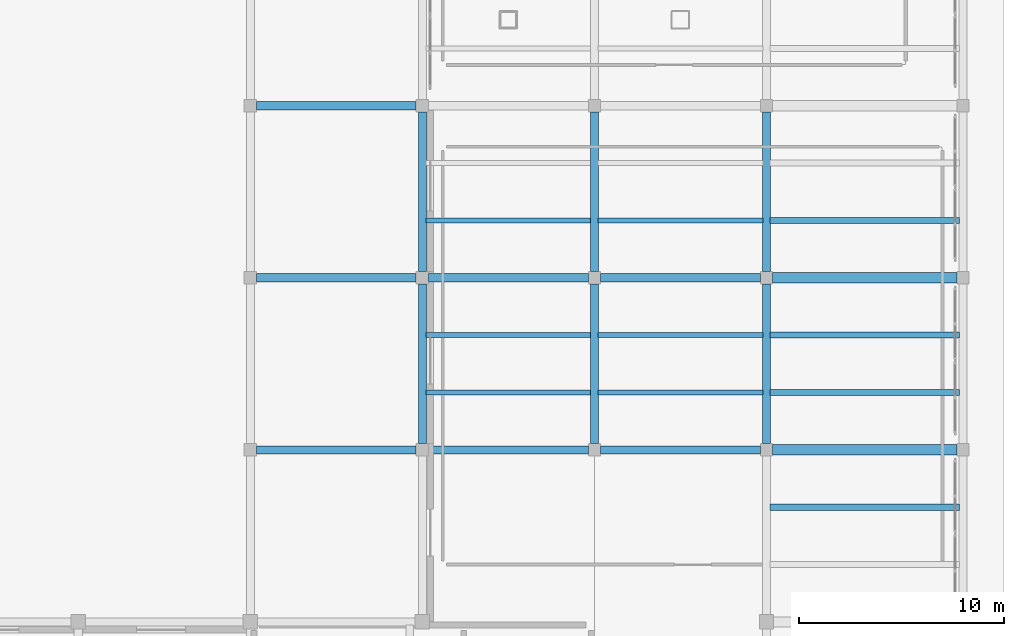
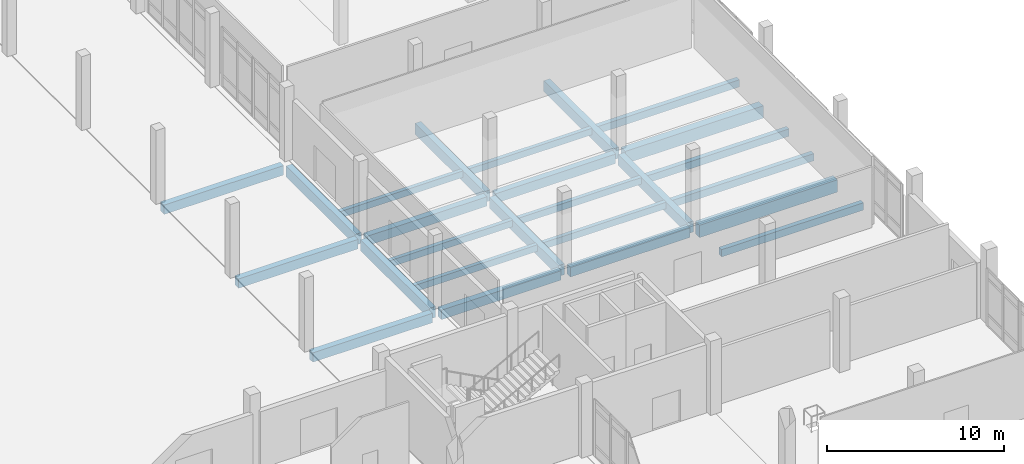
# One storey, part 22 of 64: 25 beams.
"""IFC4 building model written with IfcOpenShell, lengths in metres."""

from ifc_helpers import new_model, si_unit, derived_unit, direction, frame, origin, origin_2d, place, context, subcontext, project, spatial, rectangle, extrude, material, material_profile, profile_set, type_object, element, save


model = new_model("IFC4")

# Units and contexts
model_context = context("Model", 3, precision=1e-05, world=origin(), true_north=direction((0.0, 1.0)))
body_context = subcontext(model_context, "Body", "Model", "MODEL_VIEW")
ifc_project = project(units=[si_unit("LENGTHUNIT", "METRE"), si_unit("AREAUNIT", "SQUARE_METRE"), si_unit("VOLUMEUNIT", "CUBIC_METRE"), si_unit("PLANEANGLEUNIT", "RADIAN"), si_unit("MASSUNIT", "GRAM", prefix="KILO"), derived_unit("THERMALTRANSMITTANCEUNIT", [(si_unit("POWERUNIT", "WATT"), 1), (si_unit("LENGTHUNIT", "METRE"), -2), (si_unit("THERMODYNAMICTEMPERATUREUNIT", "KELVIN"), -1)])], contexts=[model_context])

# Site, building, storey
site_placement = place(None, origin())
site = spatial("IfcSite", under=ifc_project, at=site_placement, CompositionType="ELEMENT")
building_placement = place(site_placement, origin())
building = spatial("IfcBuilding", under=site, at=building_placement, Name="Elbkamm Science Centre", CompositionType="ELEMENT")
storey_placement = place(building_placement, origin())
storey = spatial("IfcBuildingStorey", under=building, at=storey_placement, Name="L00", CompositionType="ELEMENT", Elevation=0.0)

# Beams
ifc_material = material(Name="Concrete C40/50", Category="concrete")
ifc_material_profile_1 = material_profile(ifc_material, rectangle(XDim=0.39990234375, YDim=0.64990234375, at=origin_2d()), Name="RC 400x650")
ifc_profile_set_1 = profile_set([ifc_material_profile_1], Name="Concrete C40/50")
beam_type_1 = type_object("IfcBeamType", Name="BM-RC-400x650", PredefinedType="BEAM", material=ifc_profile_set_1)
for number, where, z_axis, x_axis, name in (
    (1, (126.300048828125, 67.199951171875, -0.625), (1.0, 0.0, 0.0), (0.0, 1.0, 0.0), "L00 Primary X-Girder 069"),
    (2, (134.699951171875, 67.199951171875, -0.625), (1.0, 0.0, 0.0), (0.0, 1.0, 0.0), "L00 Primary X-Girder 070"),
):
    element("IfcBeam", number, at=place(storey_placement, frame(where, z_axis=z_axis, x_axis=x_axis)), inside=storey, type_object=beam_type_1, Name=name, PredefinedType="BEAM", context=body_context, shape_type="SweptSolid", body=[
        extrude(rectangle(XDim=0.39990234375, YDim=0.64990234375, at=origin_2d()), origin(), (0.0, 0.0, 1.0), 7.800048828125),
    ])
beam_1_placement = place(storey_placement, frame((143.10009765625, 67.199951171875, -0.625), z_axis=(1.0, 0.0, 0.0), x_axis=(0.0, 1.0, 0.0)))
element("IfcBeam", 3, at=beam_1_placement, inside=storey, type_object=beam_type_1, Name="L00 Primary X-Girder 071", PredefinedType="BEAM", context=body_context, shape_type="SweptSolid", body=[
    extrude(rectangle(XDim=0.39990234375, YDim=0.64990234375, at=origin_2d()), origin(), (0.0, 0.0, 1.0), 7.7998046875),
])
for number, where, z_axis, x_axis, name in (
    (4, (126.300048828125, 75.60009765625, -0.625), (1.0, 0.0, 0.0), (0.0, 1.0, 0.0), "L00 Primary X-Girder 073"),
    (5, (134.699951171875, 75.60009765625, -0.625), (1.0, 0.0, 0.0), (0.0, 1.0, 0.0), "L00 Primary X-Girder 074"),
):
    element("IfcBeam", number, at=place(storey_placement, frame(where, z_axis=z_axis, x_axis=x_axis)), inside=storey, type_object=beam_type_1, Name=name, PredefinedType="BEAM", context=body_context, shape_type="SweptSolid", body=[
        extrude(rectangle(XDim=0.39990234375, YDim=0.64990234375, at=origin_2d()), origin(), (0.0, 0.0, 1.0), 7.800048828125),
    ])
beam_2_placement = place(storey_placement, frame((143.10009765625, 75.60009765625, -0.625), z_axis=(1.0, 0.0, 0.0), x_axis=(0.0, 1.0, 0.0)))
element("IfcBeam", 6, at=beam_2_placement, inside=storey, type_object=beam_type_1, Name="L00 Primary X-Girder 075", PredefinedType="BEAM", context=body_context, shape_type="SweptSolid", body=[
    extrude(rectangle(XDim=0.39990234375, YDim=0.64990234375, at=origin_2d()), origin(), (0.0, 0.0, 1.0), 7.7998046875),
])
beam_3_placement = place(storey_placement, frame((126.300048828125, 84.0, -0.625), z_axis=(1.0, 0.0, 0.0), x_axis=(0.0, 1.0, 0.0)))
element("IfcBeam", 7, at=beam_3_placement, inside=storey, type_object=beam_type_1, Name="L00 Primary X-Girder 080", PredefinedType="BEAM", context=body_context, shape_type="SweptSolid", body=[
    extrude(rectangle(XDim=0.39990234375, YDim=0.64990234375, at=origin_2d()), origin(), (0.0, 0.0, 1.0), 7.800048828125),
])
ifc_material_profile_2 = material_profile(ifc_material, rectangle(XDim=0.39990234375, YDim=0.75, at=origin_2d()), Name="RC 400x750")
ifc_profile_set_2 = profile_set([ifc_material_profile_2], Name="Concrete C40/50")
beam_type_2 = type_object("IfcBeamType", Name="BM-RC-400x750", PredefinedType="BEAM", material=ifc_profile_set_2)
for number, where, z_axis, x_axis, name in (
    (8, (134.39990234375, 67.5, -0.675048828125), (0.0, 1.0, 0.0), (-1.0, 0.0, 0.0), "L00 Primary Y-Girder 057"),
    (9, (134.39990234375, 75.89990234375, -0.675048828125), (0.0, 1.0, 0.0), (-1.0, 0.0, 0.0), "L00 Primary Y-Girder 058"),
    (10, (142.800048828125, 67.5, -0.675048828125), (0.0, 1.0, 0.0), (-1.0, 0.0, 0.0), "L00 Primary Y-Girder 063"),
    (11, (142.800048828125, 75.89990234375, -0.675048828125), (0.0, 1.0, 0.0), (-1.0, 0.0, 0.0), "L00 Primary Y-Girder 064"),
    (12, (151.199951171875, 67.5, -0.675048828125), (0.0, 1.0, 0.0), (-1.0, 0.0, 0.0), "L00 Primary Y-Girder 073"),
    (13, (151.199951171875, 75.89990234375, -0.675048828125), (0.0, 1.0, 0.0), (-1.0, 0.0, 0.0), "L00 Primary Y-Girder 074"),
):
    element("IfcBeam", number, at=place(storey_placement, frame(where, z_axis=z_axis, x_axis=x_axis)), inside=storey, type_object=beam_type_2, Name=name, PredefinedType="BEAM", context=body_context, shape_type="SweptSolid", body=[
        extrude(rectangle(XDim=0.39990234375, YDim=0.75, at=origin_2d()), origin(), (0.0, 0.0, 1.0), 7.800048828125),
    ])
ifc_material_profile_3 = material_profile(ifc_material, rectangle(XDim=0.5, YDim=0.85009765625, at=origin_2d()), Name="RC 500x850")
ifc_profile_set_3 = profile_set([ifc_material_profile_3], Name="Concrete C40/50")
beam_type_3 = type_object("IfcBeamType", Name="BM-RC-500x850", PredefinedType="BEAM", material=ifc_profile_set_3)
for number, where, z_axis, x_axis, name in (
    (14, (151.5, 67.199951171875, -0.72509765625), (1.0, 0.0, 0.0), (0.0, 1.0, 0.0), "L00 Primary X-Girder 072"),
    (15, (151.5, 75.60009765625, -0.72509765625), (1.0, 0.0, 0.0), (0.0, 1.0, 0.0), "L00 Primary X-Girder 076"),
):
    element("IfcBeam", number, at=place(storey_placement, frame(where, z_axis=z_axis, x_axis=x_axis)), inside=storey, type_object=beam_type_3, Name=name, PredefinedType="BEAM", context=body_context, shape_type="SweptSolid", body=[
        extrude(rectangle(XDim=0.5, YDim=0.85009765625, at=origin_2d()), origin(), (0.0, 0.0, 1.0), 9.0),
    ])
ifc_material_profile_4 = material_profile(ifc_material, rectangle(XDim=0.25, YDim=0.449951171875, at=origin_2d()), Name="RC 250x450")
ifc_profile_set_4 = profile_set([ifc_material_profile_4], Name="Concrete C40/50")
beam_type_4 = type_object("IfcBeamType", Name="JST-RC-250x450", PredefinedType="JOIST", material=ifc_profile_set_4)
for number, where, z_axis, x_axis, name in (
    (16, (134.580078125, 70.0, -0.52490234375), (1.0, 0.0, 0.0), (0.0, 1.0, 0.0), "L00 Secondary Floor Joist 039"),
    (17, (134.580078125, 72.800048828125, -0.52490234375), (1.0, 0.0, 0.0), (0.0, 1.0, 0.0), "L00 Secondary Floor Joist 040"),
    (18, (134.580078125, 78.39990234375, -0.52490234375), (1.0, 0.0, 0.0), (0.0, 1.0, 0.0), "L00 Secondary Floor Joist 041"),
    (19, (142.97998046875, 70.0, -0.52490234375), (1.0, 0.0, 0.0), (0.0, 1.0, 0.0), "L00 Secondary Floor Joist 051"),
    (20, (142.97998046875, 72.800048828125, -0.52490234375), (1.0, 0.0, 0.0), (0.0, 1.0, 0.0), "L00 Secondary Floor Joist 052"),
    (21, (142.97998046875, 78.39990234375, -0.52490234375), (1.0, 0.0, 0.0), (0.0, 1.0, 0.0), "L00 Secondary Floor Joist 053"),
):
    element("IfcBeam", number, at=place(storey_placement, frame(where, z_axis=z_axis, x_axis=x_axis)), inside=storey, type_object=beam_type_4, Name=name, PredefinedType="JOIST", context=body_context, shape_type="SweptSolid", body=[
        extrude(rectangle(XDim=0.25, YDim=0.449951171875, at=origin_2d()), origin(), (0.0, 0.0, 1.0), 8.0400390625),
    ])
ifc_material_profile_5 = material_profile(ifc_material, rectangle(XDim=0.300048828125, YDim=0.5, at=origin_2d()), Name="RC 300x500")
ifc_profile_set_5 = profile_set([ifc_material_profile_5], Name="Concrete C40/50")
beam_type_5 = type_object("IfcBeamType", Name="JST-RC-300x500", PredefinedType="JOIST", material=ifc_profile_set_5)
for number, where, z_axis, x_axis, name in (
    (22, (151.3798828125, 64.39990234375, -0.550048828125), (1.0, 0.0, 0.0), (0.0, 1.0, 0.0), "L00 Secondary Floor Joist 070"),
    (23, (151.3798828125, 70.0, -0.550048828125), (1.0, 0.0, 0.0), (0.0, 1.0, 0.0), "L00 Secondary Floor Joist 071"),
    (24, (151.3798828125, 72.800048828125, -0.550048828125), (1.0, 0.0, 0.0), (0.0, 1.0, 0.0), "L00 Secondary Floor Joist 072"),
    (25, (151.3798828125, 78.39990234375, -0.550048828125), (1.0, 0.0, 0.0), (0.0, 1.0, 0.0), "L00 Secondary Floor Joist 073"),
):
    element("IfcBeam", number, at=place(storey_placement, frame(where, z_axis=z_axis, x_axis=x_axis)), inside=storey, type_object=beam_type_5, Name=name, PredefinedType="JOIST", context=body_context, shape_type="SweptSolid", body=[
        extrude(rectangle(XDim=0.300048828125, YDim=0.5, at=origin_2d()), origin(), (0.0, 0.0, 1.0), 9.240234375),
    ])

save(model, "model.ifc")
